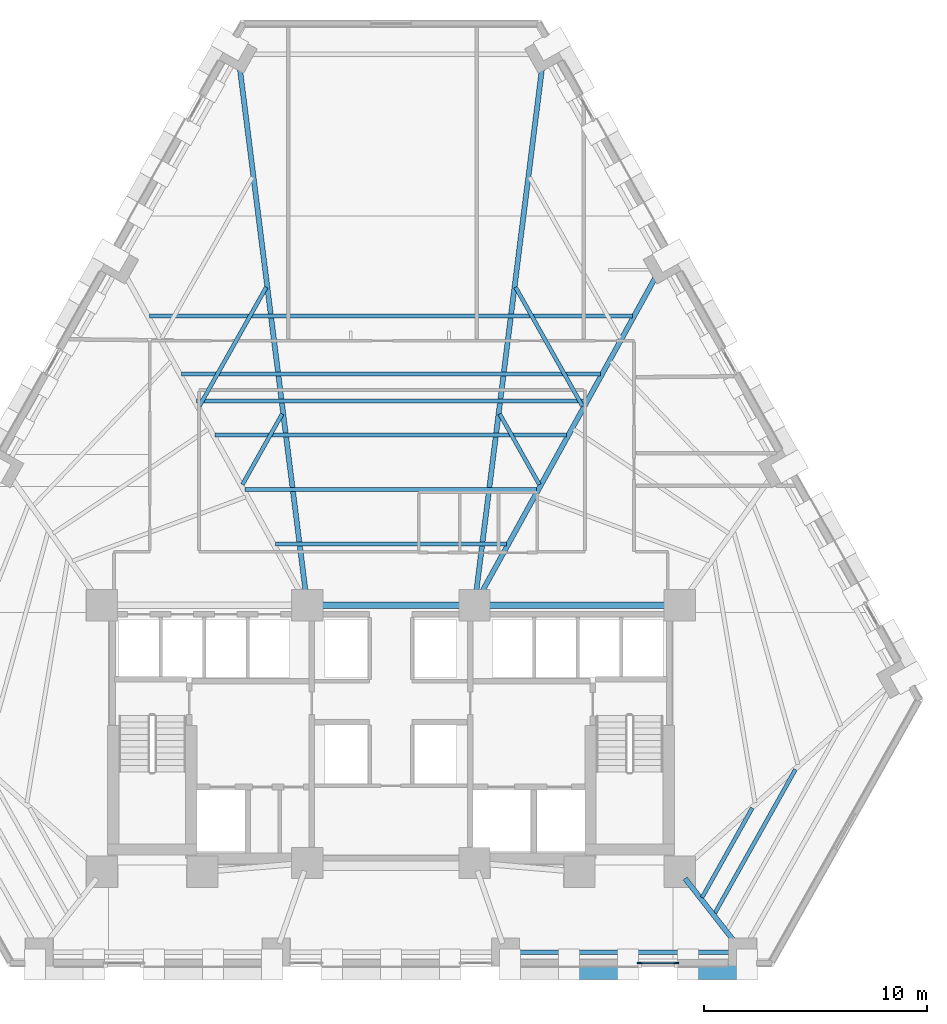
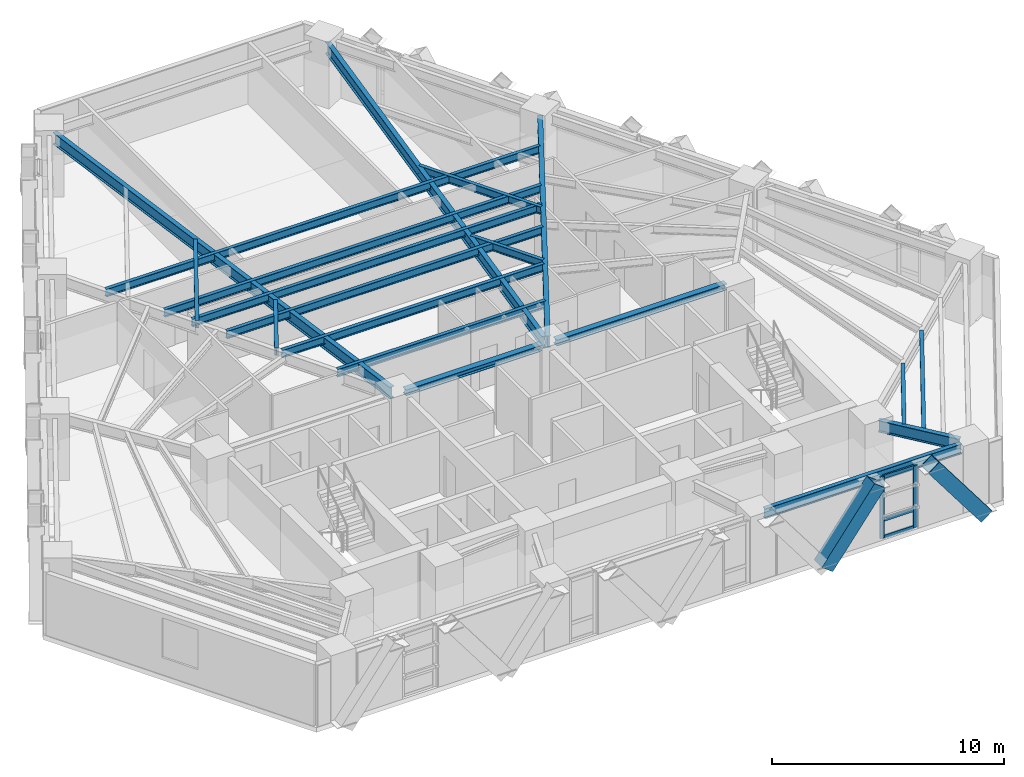
# One storey, part 3 of 13: 19 beams, 7 members, 1 element without a shape of its own.
"""IFC4 building model written with IfcOpenShell, lengths in metres."""

from ifc_helpers import new_model, si_unit, direction, frame, origin, origin_2d, place, context, subcontext, project, spatial, rectangle, hollow_rectangle, i_section, extrude, material, material_profile, profile_set, type_object, element, aggregate, save


model = new_model("IFC4")

# Units and contexts
model_context = context("Model", 3, precision=1e-05, world=origin(), true_north=direction((0.0, 1.0)))
body_context = subcontext(model_context, "Body", "Model", "MODEL_VIEW")
ifc_project = project(units=[si_unit("LENGTHUNIT", "METRE"), si_unit("AREAUNIT", "SQUARE_METRE"), si_unit("VOLUMEUNIT", "CUBIC_METRE"), si_unit("PLANEANGLEUNIT", "RADIAN"), si_unit("MASSUNIT", "GRAM", prefix="KILO")], contexts=[model_context])

# Site, building, storey
site_placement = place(None, origin())
site = spatial("IfcSite", under=ifc_project, at=site_placement, CompositionType="ELEMENT")
building_placement = place(site_placement, origin())
building = spatial("IfcBuilding", under=site, at=building_placement, Name="Quenlor Broadcast Tower", CompositionType="ELEMENT")
storey_placement = place(building_placement, frame((0.0, 0.0, 69.60009765625)))
storey = spatial("IfcBuildingStorey", under=building, at=storey_placement, Name="L18", CompositionType="ELEMENT", Elevation=69.60009765625)

# Curtain wall, members
ifc_material_1 = material(Name="Architectural Terracotta and Low-E Glazing", Category="masonry")
curtain_wall_type = type_object("IfcCurtainWallType", Name="Unitised Terracotta Curtain Wall System Z1", PredefinedType="NOTDEFINED", material=ifc_material_1)
curtain_wall_placement = place(storey_placement, origin())
curtain_wall = element("IfcCurtainWall", 1, at=curtain_wall_placement, inside=storey, type_object=curtain_wall_type, Name="L18 Curtain Wall CW1 (L18-SA-G1)", PredefinedType="NOTDEFINED")
ifc_material_2 = material(Name="Aluminium 6063-T6", Category="aluminium")
ifc_material_profile_1 = material_profile(ifc_material_2, rectangle(XDim=0.080078125, YDim=0.219970703125, at=origin_2d()))
ifc_profile_set_1 = profile_set([ifc_material_profile_1], Name="Aluminium 6063-T6 MULL80x220")
member_type_1 = type_object("IfcMemberType", Name="CW1 Aluminium Mullion MULL_CW1", PredefinedType="MULLION", material=ifc_profile_set_1)
member_1_placement = place(storey_placement, frame((12.794921875, -20.840087890625, 0.0), z_axis=(0.0, 0.0, 1.0), x_axis=(0.0, -1.0, 0.0)))
member_1 = element("IfcMember", 2, at=member_1_placement, type_object=member_type_1, Name="CW1 mullion 1", PredefinedType="MULLION", context=body_context, shape_type="SweptSolid", body=[
    extrude(rectangle(XDim=0.080078125, YDim=0.219970703125, at=origin_2d()), origin(), (0.0, 0.0, 1.0), 3.25),
])
member_2_placement = place(storey_placement, frame((11.146484375, -20.840087890625, 0.0), z_axis=(0.0, 0.0, 1.0), x_axis=(0.0, -1.0, 0.0)))
member_2 = element("IfcMember", 3, at=member_2_placement, type_object=member_type_1, Name="CW1 mullion 2", PredefinedType="MULLION", context=body_context, shape_type="SweptSolid", body=[
    extrude(rectangle(XDim=0.080078125, YDim=0.219970703125, at=origin_2d()), origin(), (0.0, 0.0, 1.0), 3.25),
])
ifc_material_3 = material(Name="Aluminium 6063-T6", Category="aluminium")
ifc_material_profile_2 = material_profile(ifc_material_3, rectangle(XDim=0.080078125, YDim=0.179931640625, at=origin_2d()))
ifc_profile_set_2 = profile_set([ifc_material_profile_2], Name="Aluminium 6063-T6 TRAN80x180")
member_type_2 = type_object("IfcMemberType", Name="CW1 Aluminium Transom TRAN_CW1", PredefinedType="USERDEFINED", material=ifc_profile_set_2)
member_3_placement = place(storey_placement, frame((12.7548828125, -20.840087890625, 0.039794921875), z_axis=(-1.0, 0.0, 0.0), x_axis=(0.0, -1.0, 0.0)))
member_3 = element("IfcMember", 4, at=member_3_placement, type_object=member_type_2, Name="CW1 transom 1.1", ObjectType="TRANSOM", PredefinedType="USERDEFINED", context=body_context, shape_type="SweptSolid", body=[
    extrude(rectangle(XDim=0.080078125, YDim=0.179931640625, at=origin_2d()), origin(), (0.0, 0.0, 1.0), 1.568359375),
])
member_4_placement = place(storey_placement, frame((12.7548828125, -20.840087890625, 0.949951171875), z_axis=(-1.0, 0.0, 0.0), x_axis=(0.0, -1.0, 0.0)))
member_4 = element("IfcMember", 5, at=member_4_placement, type_object=member_type_2, Name="CW1 transom 1.2", ObjectType="TRANSOM", PredefinedType="USERDEFINED", context=body_context, shape_type="SweptSolid", body=[
    extrude(rectangle(XDim=0.080078125, YDim=0.179931640625, at=origin_2d()), origin(), (0.0, 0.0, 1.0), 1.568359375),
])
member_5_placement = place(storey_placement, frame((12.7548828125, -20.840087890625, 3.2099609375), z_axis=(-1.0, 0.0, 0.0), x_axis=(0.0, -1.0, 0.0)))
member_5 = element("IfcMember", 6, at=member_5_placement, type_object=member_type_2, Name="CW1 transom 1.3", ObjectType="TRANSOM", PredefinedType="USERDEFINED", context=body_context, shape_type="SweptSolid", body=[
    extrude(rectangle(XDim=0.080078125, YDim=0.179931640625, at=origin_2d()), origin(), (0.0, 0.0, 1.0), 1.568359375),
])
aggregate(curtain_wall, [member_1, member_2, member_3, member_4, member_5])

# Beams
ifc_material_4 = material(Name="Steel S355", Category="steel")
ifc_material_profile_3 = material_profile(ifc_material_4, i_section(OverallWidth=0.304931640625, OverallDepth=0.30810546875, WebThickness=0.010009765625, FlangeThickness=0.015380859375, FilletRadius=0.0166015625, at=origin_2d()))
ifc_profile_set_3 = profile_set([ifc_material_profile_3], Name="Steel S355 310UC96.8")
beam_type_1 = type_object("IfcBeamType", Name="Core Header Beam Steel S355 310UC96.8", PredefinedType="BEAM", material=ifc_profile_set_3)
beam_1_placement = place(storey_placement, frame((-3.389892578125, -4.800048828125, 3.095947265625), z_axis=(1.0, 0.0, 0.0), x_axis=(0.0, 1.0, 0.0)))
element("IfcBeam", 7, at=beam_1_placement, inside=storey, type_object=beam_type_1, Name="L18 Core Header Beam 2", PredefinedType="BEAM", context=body_context, shape_type="SweptSolid", body=[
    extrude(i_section(OverallWidth=0.304931640625, OverallDepth=0.30810546875, WebThickness=0.010009765625, FlangeThickness=0.015380859375, FilletRadius=0.0166015625, at=origin_2d()), origin(), (0.0, 0.0, 1.0), 6.77978515625),
])
ifc_material_5 = material(Name="Steel S355", Category="steel")
ifc_material_profile_4 = material_profile(ifc_material_5, i_section(OverallWidth=0.306884765625, OverallDepth=0.314697265625, WebThickness=0.011962890625, FlangeThickness=0.018798828125, FilletRadius=0.0166015625, at=origin_2d()))
ifc_profile_set_4 = profile_set([ifc_material_profile_4], Name="Steel S355 310UC118")
beam_type_2 = type_object("IfcBeamType", Name="Core Tie Beam Steel S355 310UC118", PredefinedType="BEAM", material=ifc_profile_set_4)
beam_2_placement = place(storey_placement, frame((4.110107421875, -4.800048828125, 3.092529296875), z_axis=(1.0, 0.0, 0.0), x_axis=(0.0, 1.0, 0.0)))
element("IfcBeam", 8, at=beam_2_placement, inside=storey, type_object=beam_type_2, Name="L18 Core Tie Beam 3", PredefinedType="BEAM", context=body_context, shape_type="SweptSolid", body=[
    extrude(i_section(OverallWidth=0.306884765625, OverallDepth=0.314697265625, WebThickness=0.011962890625, FlangeThickness=0.018798828125, FilletRadius=0.0166015625, at=origin_2d()), origin(), (0.0, 0.0, 1.0), 8.47998046875),
])

# Members
ifc_material_6 = material(Name="Steel S355", Category="steel")
ifc_material_profile_5 = material_profile(ifc_material_6, hollow_rectangle(XDim=0.679931640625, YDim=0.679931640625, WallThickness=0.034912109375, at=origin_2d()))
ifc_profile_set_5 = profile_set([ifc_material_profile_5], Name="Steel S355 RHS680x680x35")
member_type_3 = type_object("IfcMemberType", Name="Perimeter Diagonal Lattice Brace Z1 Steel S355 RHS680x35", PredefinedType="BRACE", material=ifc_profile_set_5)
for number, where, z_axis, x_axis, name in (
    (9, (15.945068359375, -21.235107421875, -0.1201171875), (-0.600463982679, 0.0, 0.799651802665), (0.0, -1.0, 0.0), "L18 Perimeter Diamond Lattice S-C1S"),
    (10, (7.99658203125, -21.235107421875, -0.1201171875), (0.600463982679, 0.0, 0.799651802665), (0.0, 1.0, 0.0), "L18 Perimeter Diamond Lattice S-C1B"),
):
    element("IfcMember", number, at=place(storey_placement, frame(where, z_axis=z_axis, x_axis=x_axis)), inside=storey, type_object=member_type_3, Name=name, PredefinedType="BRACE", context=body_context, shape_type="SweptSolid", body=[
        extrude(hollow_rectangle(XDim=0.679931640625, YDim=0.679931640625, WallThickness=0.034912109375, at=origin_2d()), origin(), (0.0, 0.0, 1.0), 4.376953125),
    ])

# Beams
ifc_material_7 = material(Name="Steel S355", Category="steel")
ifc_material_profile_6 = material_profile(ifc_material_7, i_section(OverallWidth=0.208984375, OverallDepth=0.532958984375, WebThickness=0.01025390625, FlangeThickness=0.015625, FilletRadius=0.013916015625, at=origin_2d()))
ifc_profile_set_6 = profile_set([ifc_material_profile_6], Name="Steel S355 530UB92.4")
beam_type_3 = type_object("IfcBeamType", Name="Perimeter Spandrel Beam Z1 Steel S355 530UB92.4", PredefinedType="SPANDREL", material=ifc_profile_set_6)
beam_3_placement = place(storey_placement, frame((5.55078125, -20.35009765625, 2.9833984375), z_axis=(1.0, 0.0, 0.0), x_axis=(0.0, 1.0, 0.0)))
element("IfcBeam", 11, at=beam_3_placement, inside=storey, type_object=beam_type_3, Name="L18 Spandrel Beam S3-S4", PredefinedType="SPANDREL", context=body_context, shape_type="SweptSolid", body=[
    extrude(i_section(OverallWidth=0.208984375, OverallDepth=0.532958984375, WebThickness=0.01025390625, FlangeThickness=0.015625, FilletRadius=0.013916015625, at=origin_2d()), origin(), (0.0, 0.0, 1.0), 9.80419921875),
])
ifc_material_8 = material(Name="Steel S355", Category="steel")
ifc_material_profile_7 = material_profile(ifc_material_8, i_section(OverallWidth=0.177978515625, OverallDepth=0.406494140625, WebThickness=0.0078125, FlangeThickness=0.0126953125, FilletRadius=0.011474609375, at=origin_2d()))
ifc_profile_set_7 = profile_set([ifc_material_profile_7], Name="Steel S355 410UB59.7")
beam_type_4 = type_object("IfcBeamType", Name="Tower Composite Joist Z1 Steel S355 410UB59.7", PredefinedType="JOIST", material=ifc_profile_set_7)
beam_4_placement = place(storey_placement, frame((-5.184326171875, -2.0546875, 3.046630859375), z_axis=(1.0, 0.0, 0.0), x_axis=(0.0, 1.0, 0.0)))
element("IfcBeam", 12, at=beam_4_placement, inside=storey, type_object=beam_type_4, Name="L18 Secondary Composite Joist 1", PredefinedType="JOIST", context=body_context, shape_type="SweptSolid", body=[
    extrude(i_section(OverallWidth=0.177978515625, OverallDepth=0.406494140625, WebThickness=0.0078125, FlangeThickness=0.0126953125, FilletRadius=0.011474609375, at=origin_2d()), origin(), (0.0, 0.0, 1.0), 10.36865234375),
])
beam_5_placement = place(storey_placement, frame((-8.718017578125, 4.3505859375, 3.046630859375), z_axis=(1.0, 0.0, 0.0), x_axis=(0.0, 1.0, 0.0)))
element("IfcBeam", 13, at=beam_5_placement, inside=storey, type_object=beam_type_4, Name="L18 Secondary Composite Joist 2", PredefinedType="JOIST", context=body_context, shape_type="SweptSolid", body=[
    extrude(i_section(OverallWidth=0.177978515625, OverallDepth=0.406494140625, WebThickness=0.0078125, FlangeThickness=0.0126953125, FilletRadius=0.011474609375, at=origin_2d()), origin(), (0.0, 0.0, 1.0), 17.43603515625),
])
beam_6_placement = place(storey_placement, frame((-6.530517578125, 0.38525390625, 3.046630859375), z_axis=(1.0, 0.0, 0.0), x_axis=(0.0, 1.0, 0.0)))
element("IfcBeam", 14, at=beam_6_placement, inside=storey, type_object=beam_type_4, Name="L18 Secondary Composite Joist 3", PredefinedType="JOIST", context=body_context, shape_type="SweptSolid", body=[
    extrude(i_section(OverallWidth=0.177978515625, OverallDepth=0.406494140625, WebThickness=0.0078125, FlangeThickness=0.0126953125, FilletRadius=0.011474609375, at=origin_2d()), origin(), (0.0, 0.0, 1.0), 13.06103515625),
])
beam_7_placement = place(storey_placement, frame((-7.87646484375, 2.825439453125, 3.046630859375), z_axis=(1.0, 0.0, 0.0), x_axis=(0.0, 1.0, 0.0)))
element("IfcBeam", 15, at=beam_7_placement, inside=storey, type_object=beam_type_4, Name="L18 Secondary Composite Joist 4", PredefinedType="JOIST", context=body_context, shape_type="SweptSolid", body=[
    extrude(i_section(OverallWidth=0.177978515625, OverallDepth=0.406494140625, WebThickness=0.0078125, FlangeThickness=0.0126953125, FilletRadius=0.011474609375, at=origin_2d()), origin(), (0.0, 0.0, 1.0), 15.7529296875),
])
beam_8_placement = place(storey_placement, frame((-9.390869140625, 5.570556640625, 3.046630859375), z_axis=(1.0, 0.0, 0.0), x_axis=(0.0, 1.0, 0.0)))
element("IfcBeam", 16, at=beam_8_placement, inside=storey, type_object=beam_type_4, Name="L18 Secondary Composite Joist 5", PredefinedType="JOIST", context=body_context, shape_type="SweptSolid", body=[
    extrude(i_section(OverallWidth=0.177978515625, OverallDepth=0.406494140625, WebThickness=0.0078125, FlangeThickness=0.0126953125, FilletRadius=0.011474609375, at=origin_2d()), origin(), (0.0, 0.0, 1.0), 18.78173828125),
])
beam_9_placement = place(storey_placement, frame((-10.821044921875, 8.163330078125, 3.046630859375), z_axis=(1.0, 0.0, 0.0), x_axis=(0.0, 1.0, 0.0)))
element("IfcBeam", 17, at=beam_9_placement, inside=storey, type_object=beam_type_4, Name="L18 Secondary Composite Joist 6", PredefinedType="JOIST", context=body_context, shape_type="SweptSolid", body=[
    extrude(i_section(OverallWidth=0.177978515625, OverallDepth=0.406494140625, WebThickness=0.0078125, FlangeThickness=0.0126953125, FilletRadius=0.011474609375, at=origin_2d()), origin(), (0.0, 0.0, 1.0), 21.64208984375),
])
beam_10_placement = place(storey_placement, frame((13.9462890625, -17.904296875, 3.046630859375), z_axis=(0.489062021968, 0.872249011848, 0.0), x_axis=(-0.872249011848, 0.489062021968, 0.0)))
element("IfcBeam", 18, at=beam_10_placement, inside=storey, type_object=beam_type_4, Name="L18 Secondary Composite Joist 22", PredefinedType="JOIST", context=body_context, shape_type="SweptSolid", body=[
    extrude(i_section(OverallWidth=0.177978515625, OverallDepth=0.406494140625, WebThickness=0.0078125, FlangeThickness=0.0126953125, FilletRadius=0.011474609375, at=origin_2d()), origin(), (0.0, 0.0, 1.0), 4.6025390625),
])
beam_11_placement = place(storey_placement, frame((14.50927734375, -18.624267578125, 3.046630859375), z_axis=(0.489088249322, 0.872234305892, 0.0), x_axis=(-0.872234305892, 0.489088249322, 0.0)))
element("IfcBeam", 19, at=beam_11_placement, inside=storey, type_object=beam_type_4, Name="L18 Secondary Composite Joist 23", PredefinedType="JOIST", context=body_context, shape_type="SweptSolid", body=[
    extrude(i_section(OverallWidth=0.177978515625, OverallDepth=0.406494140625, WebThickness=0.0078125, FlangeThickness=0.0126953125, FilletRadius=0.011474609375, at=origin_2d()), origin(), (0.0, 0.0, 1.0), 7.404296875),
])
beam_12_placement = place(storey_placement, frame((-4.87451171875, 3.7734375, 3.046630859375), z_axis=(-0.490286766726, -0.871561177642, 0.0), x_axis=(0.871561177642, -0.490286766726, 0.0)))
element("IfcBeam", 20, at=beam_12_placement, inside=storey, type_object=beam_type_4, Name="L18 Secondary Composite Joist 25", PredefinedType="JOIST", context=body_context, shape_type="SweptSolid", body=[
    extrude(i_section(OverallWidth=0.177978515625, OverallDepth=0.406494140625, WebThickness=0.0078125, FlangeThickness=0.0126953125, FilletRadius=0.011474609375, at=origin_2d()), origin(), (0.0, 0.0, 1.0), 3.632568359375),
])
beam_13_placement = place(storey_placement, frame((-5.587646484375, 9.453125, 3.046630859375), z_axis=(-0.490276380443, -0.871567020246, 0.0), x_axis=(0.871567020246, -0.490276380443, 0.0)))
element("IfcBeam", 21, at=beam_13_placement, inside=storey, type_object=beam_type_4, Name="L18 Secondary Composite Joist 26", PredefinedType="JOIST", context=body_context, shape_type="SweptSolid", body=[
    extrude(i_section(OverallWidth=0.177978515625, OverallDepth=0.406494140625, WebThickness=0.0078125, FlangeThickness=0.0126953125, FilletRadius=0.011474609375, at=origin_2d()), origin(), (0.0, 0.0, 1.0), 6.12451171875),
])
beam_14_placement = place(storey_placement, frame((4.87451171875, 3.7734375, 3.046630859375), z_axis=(0.490286766726, -0.871561177642, 0.0), x_axis=(0.871561177642, 0.490286766726, 0.0)))
element("IfcBeam", 22, at=beam_14_placement, inside=storey, type_object=beam_type_4, Name="L18 Secondary Composite Joist 28", PredefinedType="JOIST", context=body_context, shape_type="SweptSolid", body=[
    extrude(i_section(OverallWidth=0.177978515625, OverallDepth=0.406494140625, WebThickness=0.0078125, FlangeThickness=0.0126953125, FilletRadius=0.011474609375, at=origin_2d()), origin(), (0.0, 0.0, 1.0), 3.632568359375),
])
beam_15_placement = place(storey_placement, frame((5.587646484375, 9.453125, 3.046630859375), z_axis=(0.490276380443, -0.871567020246, 0.0), x_axis=(0.871567020246, 0.490276380443, 0.0)))
element("IfcBeam", 23, at=beam_15_placement, inside=storey, type_object=beam_type_4, Name="L18 Secondary Composite Joist 29", PredefinedType="JOIST", context=body_context, shape_type="SweptSolid", body=[
    extrude(i_section(OverallWidth=0.177978515625, OverallDepth=0.406494140625, WebThickness=0.0078125, FlangeThickness=0.0126953125, FilletRadius=0.011474609375, at=origin_2d()), origin(), (0.0, 0.0, 1.0), 6.12451171875),
])
ifc_material_9 = material(Name="Steel S355", Category="steel")
ifc_material_profile_8 = material_profile(ifc_material_9, i_section(OverallWidth=0.22900390625, OverallDepth=0.611572265625, WebThickness=0.011962890625, FlangeThickness=0.01953125, FilletRadius=0.013916015625, at=origin_2d()))
ifc_profile_set_8 = profile_set([ifc_material_profile_8], Name="Steel S355 610UB125")
beam_type_5 = type_object("IfcBeamType", Name="Tower Primary Floor Beam Z1 Steel S355 610UB125", PredefinedType="BEAM", material=ifc_profile_set_8)
beam_16_placement = place(storey_placement, frame((15.512451171875, -20.027099609375, 2.944091796875), z_axis=(-0.615968610193, 0.78777069713, 0.0), x_axis=(-0.78777069713, -0.615968610193, 0.0)))
element("IfcBeam", 24, at=beam_16_placement, inside=storey, type_object=beam_type_5, Name="L18 Primary Radial Beam S4", PredefinedType="BEAM", context=body_context, shape_type="SweptSolid", body=[
    extrude(i_section(OverallWidth=0.22900390625, OverallDepth=0.611572265625, WebThickness=0.011962890625, FlangeThickness=0.01953125, FilletRadius=0.013916015625, at=origin_2d()), origin(), (0.0, 0.0, 1.0), 3.780029296875),
])
beam_17_placement = place(storey_placement, frame((11.965087890625, 10.091796875, 2.944091796875), z_axis=(-0.483026493693, -0.875605736842, 0.0), x_axis=(0.875605736842, -0.483026493693, 0.0)))
element("IfcBeam", 25, at=beam_17_placement, inside=storey, type_object=beam_type_5, Name="L18 Primary Radial Beam NE3", PredefinedType="BEAM", context=body_context, shape_type="SweptSolid", body=[
    extrude(i_section(OverallWidth=0.22900390625, OverallDepth=0.611572265625, WebThickness=0.011962890625, FlangeThickness=0.01953125, FilletRadius=0.013916015625, at=origin_2d()), origin(), (0.0, 0.0, 1.0), 16.62744140625),
])
for number, where, z_axis, x_axis, name in (
    (26, (6.7998046875, 19.48779296875, 2.944091796875), (-0.124589575762, -0.99220836401, 0.0), (0.99220836401, -0.124589575762, 0.0), "L18 Primary Radial Beam NE4"),
    (27, (-6.7998046875, 19.48779296875, 2.944091796875), (0.124589575762, -0.99220836401, 0.0), (0.99220836401, 0.124589575762, 0.0), "L18 Primary Radial Beam NW1"),
):
    element("IfcBeam", number, at=place(storey_placement, frame(where, z_axis=z_axis, x_axis=x_axis)), inside=storey, type_object=beam_type_5, Name=name, PredefinedType="BEAM", context=body_context, shape_type="SweptSolid", body=[
        extrude(i_section(OverallWidth=0.22900390625, OverallDepth=0.611572265625, WebThickness=0.011962890625, FlangeThickness=0.01953125, FilletRadius=0.013916015625, at=origin_2d()), origin(), (0.0, 0.0, 1.0), 24.0986328125),
    ])

save(model, "model.ifc")
